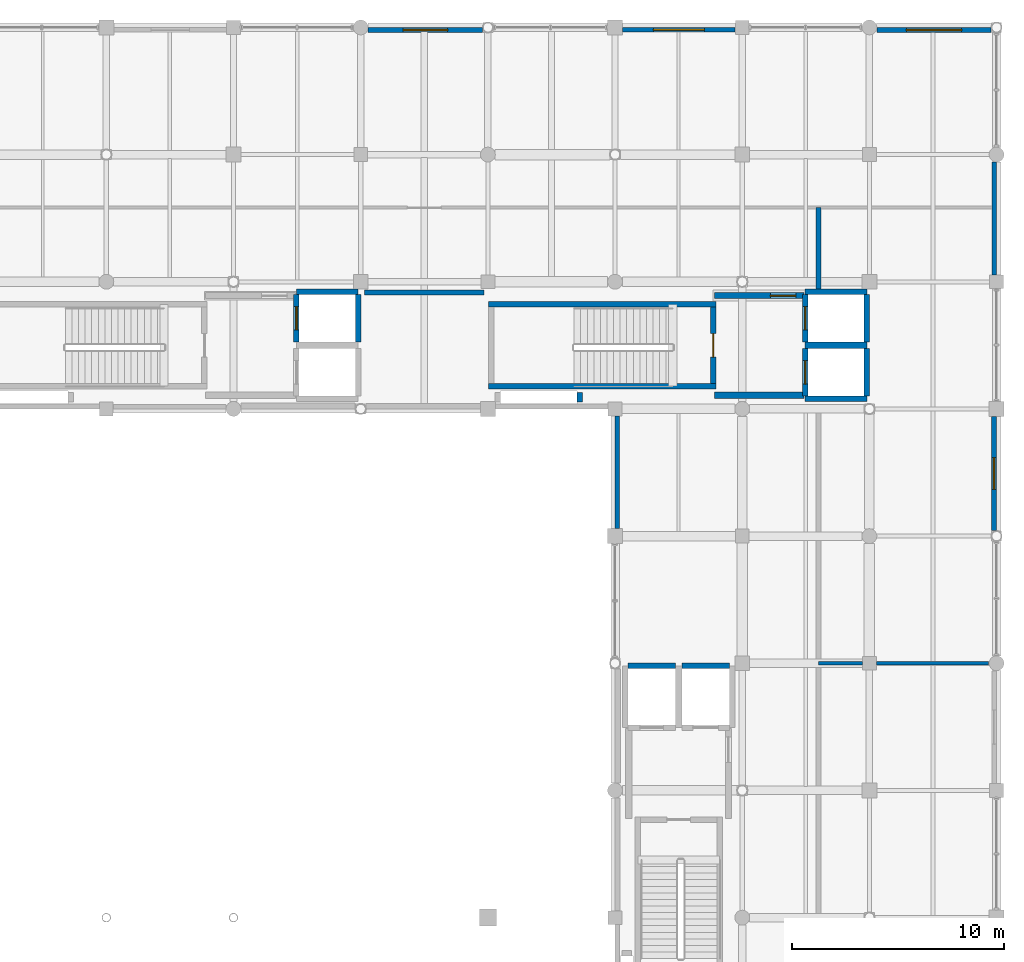
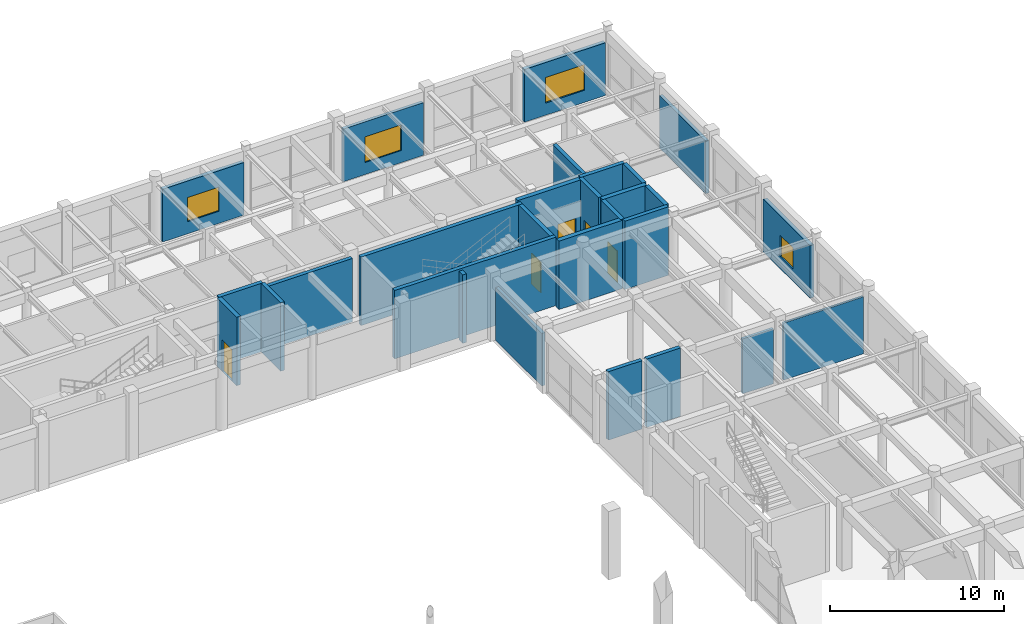
# One storey, part 105 of 123: 28 walls, 5 doors, 4 windows, 9 openings.
"""IFC4 building model written with IfcOpenShell, lengths in metres."""

from ifc_helpers import new_model, si_unit, direction, frame, frame_2d, origin, place, context, subcontext, project, spatial, rectangle, extrude, material, layer, layer_set, type_object, element, fill, save


model = new_model("IFC4")

# Units and contexts
model_context = context("Model", 3, precision=1e-05, world=origin(), true_north=direction((0.0, 1.0)))
body_context = subcontext(model_context, "Body", "Model", "MODEL_VIEW")
ifc_project = project(units=[si_unit("LENGTHUNIT", "METRE"), si_unit("AREAUNIT", "SQUARE_METRE"), si_unit("VOLUMEUNIT", "CUBIC_METRE"), si_unit("PLANEANGLEUNIT", "RADIAN"), si_unit("MASSUNIT", "GRAM", prefix="KILO"), si_unit("THERMODYNAMICTEMPERATUREUNIT", "KELVIN"), si_unit("POWERUNIT", "WATT")], contexts=[model_context])

# Site, building, storey
site_placement = place(None, origin())
site = spatial("IfcSite", under=ifc_project, at=site_placement, CompositionType="ELEMENT")
building_placement = place(site_placement, origin())
building = spatial("IfcBuilding", under=site, at=building_placement, Name="Phaisarnlok Congress Hotel", CompositionType="ELEMENT")
storey_placement = place(building_placement, frame((0.0, 0.0, 15.0)))
storey = spatial("IfcBuildingStorey", under=building, at=storey_placement, Name="L03", CompositionType="ELEMENT", Elevation=15.0)

# Walls
ifc_material_1 = material(Name="Concrete C40/50", Category="concrete")
ifc_layer_1 = layer(ifc_material_1, 0.2099609375, Name="Concrete C40/50")
ifc_layer_set_1 = layer_set([ifc_layer_1], Name="Concrete C40/50")
wall_type_1 = type_object("IfcWallType", Name="WL-EXT-210", PredefinedType="SOLIDWALL", material=ifc_layer_set_1)
for number, where, z_axis, x_axis, name in (
    (1, (162.10498046875, 107.669921875, 0.0), (0.0, 0.0, 1.0), (0.0, -1.0, 0.0), "Exterior wall EW-07 (L03)"),
    (2, (179.89501953125, 114.330078125, 0.0), (0.0, 0.0, 1.0), (0.0, 1.0, 0.0), "Exterior wall EW-07 (L03)"),
):
    element("IfcWall", number, at=place(storey_placement, frame(where, z_axis=z_axis, x_axis=x_axis)), inside=storey, type_object=wall_type_1, Name=name, PredefinedType="SOLIDWALL", context=body_context, shape_type="SweptSolid", body=[
        extrude(rectangle(XDim=5.31494140625, YDim=0.2099609375, at=frame_2d((2.657470703125, 0.0))), origin(), (0.0, 0.0, 1.0), 3.699951171875),
    ])

# Wall, opening, window
wall_1_placement = place(storey_placement, frame((167.669921875, 125.89501953125, 0.0), z_axis=(0.0, 0.0, 1.0), x_axis=(-1.0, 0.0, 0.0)))
wall_1 = element("IfcWall", 3, at=wall_1_placement, inside=storey, type_object=wall_type_1, Name="Exterior wall EW-07 (L03)", PredefinedType="SOLIDWALL", context=body_context, shape_type="SweptSolid", body=[
    extrude(rectangle(XDim=5.31494140625, YDim=0.2099609375, at=frame_2d((2.657470703125, 0.0))), origin(), (0.0, 0.0, 1.0), 3.699951171875),
])
opening_1_placement = place(wall_1_placement, frame((1.45703125, 0.0, 0.85009765625)))
opening_1 = element("IfcOpeningElement", 4, at=opening_1_placement, cuts=wall_1, Name="Opening W-08", PredefinedType="OPENING", context=body_context, shape_type="SweptSolid", body=[
    extrude(rectangle(XDim=2.39990234375, YDim=1.800048828125, at=frame_2d((1.199951171875, 0.89990234375))), frame((0.0, 0.114990234375, 0.0), z_axis=(0.0, -1.0, 0.0), x_axis=(1.0, 0.0, 0.0)), (0.0, 0.0, 1.0), 0.22998046875),
])
ifc_material_2 = material(Name="Thermally Broken Aluminium & Low-E Double Glazing", Category="aluminium")
window_type_1 = type_object("IfcWindowType", Name="WIN-POD-2400", PartitioningType="SINGLE_PANEL", PredefinedType="WINDOW", material=ifc_material_2)
window_1_placement = place(opening_1_placement, origin())
window_1 = element("IfcWindow", 5, at=window_1_placement, inside=storey, type_object=window_type_1, Name="Podium window W-08 (L03)", OverallHeight=1.800048828125, OverallWidth=2.39990234375, PartitioningType="SINGLE_PANEL", PredefinedType="WINDOW", context=body_context, shape_type="SweptSolid", body=[
    extrude(rectangle(XDim=2.39990234375, YDim=1.800048828125, at=frame_2d((1.199951171875, 0.89990234375))), frame((0.0, 0.030029296875, 0.0), z_axis=(0.0, -1.0, 0.0), x_axis=(1.0, 0.0, 0.0)), (0.0, 0.0, 1.0), 0.06005859375),
])
fill(opening_1, window_1)

ifc_layer_2 = layer(ifc_material_1, 0.25, Name="Concrete C40/50")
ifc_layer_set_2 = layer_set([ifc_layer_2], Name="Concrete C40/50")
wall_type_2 = type_object("IfcWallType", Name="WL-EXT-250", PredefinedType="SOLIDWALL", material=ifc_layer_set_2)
wall_2_placement = place(storey_placement, frame((179.875, 102.259033203125, 0.0), z_axis=(0.0, 0.0, 1.0), x_axis=(0.0, 1.0, 0.0)))
wall_2 = element("IfcWall", 6, at=wall_2_placement, inside=storey, type_object=wall_type_2, Name="Exterior wall EW-05 (L03)", PredefinedType="SOLIDWALL", context=body_context, shape_type="SweptSolid", body=[
    extrude(rectangle(XDim=5.385986328125, YDim=0.25, at=frame_2d((2.69287109375, 0.0))), origin(), (0.0, 0.0, 1.0), 3.699951171875),
])
opening_2_placement = place(wall_2_placement, frame((1.943115234375, 0.0, 0.85009765625)))
opening_2 = element("IfcOpeningElement", 7, at=opening_2_placement, cuts=wall_2, Name="Opening W-12", PredefinedType="OPENING", context=body_context, shape_type="SweptSolid", body=[
    extrude(rectangle(XDim=1.5, YDim=1.5, at=frame_2d((0.75, 0.75))), frame((0.0, 0.135009765625, 0.0), z_axis=(0.0, -1.0, 0.0), x_axis=(1.0, 0.0, 0.0)), (0.0, 0.0, 1.0), 0.27001953125),
])
window_type_2 = type_object("IfcWindowType", Name="WIN-POD-1500", PartitioningType="SINGLE_PANEL", PredefinedType="WINDOW", material=ifc_material_2)
window_2_placement = place(opening_2_placement, origin())
window_2 = element("IfcWindow", 8, at=window_2_placement, inside=storey, type_object=window_type_2, Name="Podium window W-12 (L03)", OverallHeight=1.5, OverallWidth=1.5, PartitioningType="SINGLE_PANEL", PredefinedType="WINDOW", context=body_context, shape_type="SweptSolid", body=[
    extrude(rectangle(XDim=1.5, YDim=1.5, at=frame_2d((0.75, 0.75))), frame((0.0, 0.030029296875, 0.0), z_axis=(0.0, -1.0, 0.0), x_axis=(1.0, 0.0, 0.0)), (0.0, 0.0, 1.0), 0.06005859375),
])
fill(opening_2, window_2)

wall_3_placement = place(storey_placement, frame((179.740966796875, 125.875, 0.0), z_axis=(0.0, 0.0, 1.0), x_axis=(-1.0, 0.0, 0.0)))
wall_3 = element("IfcWall", 9, at=wall_3_placement, inside=storey, type_object=wall_type_2, Name="Exterior wall EW-05 (L03)", PredefinedType="SOLIDWALL", context=body_context, shape_type="SweptSolid", body=[
    extrude(rectangle(XDim=5.385986328125, YDim=0.25, at=frame_2d((2.69287109375, 0.0))), origin(), (0.0, 0.0, 1.0), 3.699951171875),
])
opening_3_placement = place(wall_3_placement, frame((1.39306640625, 0.0, 0.85009765625)))
opening_3 = element("IfcOpeningElement", 10, at=opening_3_placement, cuts=wall_3, Name="Opening W-07", PredefinedType="OPENING", context=body_context, shape_type="SweptSolid", body=[
    extrude(rectangle(XDim=2.60009765625, YDim=1.800048828125, at=frame_2d((1.300048828125, 0.89990234375))), frame((0.0, 0.135009765625, 0.0), z_axis=(0.0, -1.0, 0.0), x_axis=(1.0, 0.0, 0.0)), (0.0, 0.0, 1.0), 0.27001953125),
])
window_type_3 = type_object("IfcWindowType", Name="WIN-POD-2600", PartitioningType="SINGLE_PANEL", PredefinedType="WINDOW", material=ifc_material_2)
window_3_placement = place(opening_3_placement, origin())
window_3 = element("IfcWindow", 11, at=window_3_placement, inside=storey, type_object=window_type_3, Name="Podium window W-07 (L03)", OverallHeight=1.800048828125, OverallWidth=2.60009765625, PartitioningType="SINGLE_PANEL", PredefinedType="WINDOW", context=body_context, shape_type="SweptSolid", body=[
    extrude(rectangle(XDim=2.60009765625, YDim=1.800048828125, at=frame_2d((1.300048828125, 0.89990234375))), frame((0.0, 0.030029296875, 0.0), z_axis=(0.0, -1.0, 0.0), x_axis=(1.0, 0.0, 0.0)), (0.0, 0.0, 1.0), 0.06005859375),
])
fill(opening_3, window_3)

wall_4_placement = place(storey_placement, frame((155.740966796875, 125.875, 0.0), z_axis=(0.0, 0.0, 1.0), x_axis=(-1.0, 0.0, 0.0)))
wall_4 = element("IfcWall", 12, at=wall_4_placement, inside=storey, type_object=wall_type_2, Name="Exterior wall EW-05 (L03)", PredefinedType="SOLIDWALL", context=body_context, shape_type="SweptSolid", body=[
    extrude(rectangle(XDim=5.385986328125, YDim=0.25, at=frame_2d((2.69287109375, 0.0))), origin(), (0.0, 0.0, 1.0), 3.699951171875),
])
opening_4_placement = place(wall_4_placement, frame((1.64306640625, 0.0, 0.85009765625)))
opening_4 = element("IfcOpeningElement", 13, at=opening_4_placement, cuts=wall_4, Name="Opening W-09", PredefinedType="OPENING", context=body_context, shape_type="SweptSolid", body=[
    extrude(rectangle(XDim=2.10009765625, YDim=1.699951171875, at=frame_2d((1.050048828125, 0.85009765625))), frame((0.0, 0.135009765625, 0.0), z_axis=(0.0, -1.0, 0.0), x_axis=(1.0, 0.0, 0.0)), (0.0, 0.0, 1.0), 0.27001953125),
])
window_type_4 = type_object("IfcWindowType", Name="WIN-POD-2100", PartitioningType="SINGLE_PANEL", PredefinedType="WINDOW", material=ifc_material_2)
window_4_placement = place(opening_4_placement, origin())
window_4 = element("IfcWindow", 14, at=window_4_placement, inside=storey, type_object=window_type_4, Name="Podium window W-09 (L03)", OverallHeight=1.699951171875, OverallWidth=2.10009765625, PartitioningType="SINGLE_PANEL", PredefinedType="WINDOW", context=body_context, shape_type="SweptSolid", body=[
    extrude(rectangle(XDim=2.10009765625, YDim=1.699951171875, at=frame_2d((1.050048828125, 0.85009765625))), frame((0.0, 0.030029296875, 0.0), z_axis=(0.0, -1.0, 0.0), x_axis=(1.0, 0.0, 0.0)), (0.0, 0.0, 1.0), 0.06005859375),
])
fill(opening_4, window_4)

# Walls
ifc_material_3 = material(Name="Double-Stud Acoustic Gypsum Partition", Category="gypsum")
ifc_layer_3 = layer(ifc_material_3, 0.159912109375, Name="Double-Stud Acoustic Gypsum Partition")
ifc_layer_set_3 = layer_set([ifc_layer_3], Name="Double-Stud Acoustic Gypsum Partition")
wall_type_3 = type_object("IfcWallType", Name="WL-INT-160", PredefinedType="PARTITIONING", material=ifc_layer_set_3)
wall_5_placement = place(storey_placement, frame((174.330078125, 96.0, 0.0), z_axis=(0.0, 0.0, 1.0), x_axis=(1.0, 0.0, 0.0)))
element("IfcWall", 15, at=wall_5_placement, inside=storey, type_object=wall_type_3, Name="Interior partition wall IW-04 (L03)", PredefinedType="PARTITIONING", context=body_context, shape_type="SweptSolid", body=[
    extrude(rectangle(XDim=5.2998046875, YDim=0.159912109375, at=frame_2d((2.64990234375, 0.0))), origin(), (0.0, 0.0, 1.0), 4.0),
])
ifc_material_4 = material(Name="Autoclaved Aerated Concrete Block", Category="concrete")
ifc_layer_4 = layer(ifc_material_4, 0.179931640625, Name="Autoclaved Aerated Concrete Block")
ifc_layer_set_4 = layer_set([ifc_layer_4], Name="Autoclaved Aerated Concrete Block")
wall_type_4 = type_object("IfcWallType", Name="WL-INT-180", PredefinedType="PARTITIONING", material=ifc_layer_set_4)
wall_6_placement = place(storey_placement, frame((171.60009765625, 96.0, 0.0), z_axis=(0.0, 0.0, 1.0), x_axis=(1.0, 0.0, 0.0)))
element("IfcWall", 16, at=wall_6_placement, inside=storey, type_object=wall_type_4, Name="Interior partition wall IW-03 (L03)", PredefinedType="PARTITIONING", context=body_context, shape_type="SweptSolid", body=[
    extrude(rectangle(XDim=2.06982421875, YDim=0.179931640625, at=frame_2d((1.034912109375, 0.0))), origin(), (0.0, 0.0, 1.0), 3.85009765625),
])
ifc_layer_5 = layer(ifc_material_1, 0.239990234375, Name="Concrete C40/50")
ifc_layer_set_5 = layer_set([ifc_layer_5], Name="Concrete C40/50")
wall_type_5 = type_object("IfcWallType", Name="WL-INT-240", PredefinedType="PARTITIONING", material=ifc_layer_set_5)
wall_7_placement = place(storey_placement, frame((171.60009765625, 113.56005859375, 0.0), z_axis=(0.0, 0.0, 1.0), x_axis=(0.0, 1.0, 0.0)))
element("IfcWall", 17, at=wall_7_placement, inside=storey, type_object=wall_type_5, Name="Interior partition wall IW-01 (L03)", PredefinedType="PARTITIONING", context=body_context, shape_type="SweptSolid", body=[
    extrude(rectangle(XDim=3.93994140625, YDim=0.239990234375, at=frame_2d((1.969970703125, 0.0))), origin(), (0.0, 0.0, 1.0), 4.449951171875),
])
wall_8_placement = place(storey_placement, frame((150.179931640625, 113.5, 0.0), z_axis=(0.0, 0.0, 1.0), x_axis=(1.0, 0.0, 0.0)))
element("IfcWall", 18, at=wall_8_placement, inside=storey, type_object=wall_type_5, Name="Interior partition wall IW-01 (L03)", PredefinedType="PARTITIONING", context=body_context, shape_type="SweptSolid", body=[
    extrude(rectangle(XDim=5.64013671875, YDim=0.239990234375, at=frame_2d((2.820068359375, 0.0))), origin(), (0.0, 0.0, 1.0), 4.449951171875),
])
ifc_material_5 = material(Name="Concrete C50/60", Category="concrete")
ifc_layer_6 = layer(ifc_material_5, 0.260009765625, Name="Concrete C50/60")
ifc_layer_set_6 = layer_set([ifc_layer_6], Name="Concrete C50/60")
wall_type_6 = type_object("IfcWallType", Name="WL-SHR-260", PredefinedType="SHEAR", material=ifc_layer_set_6)
for number, where, z_axis, x_axis, name in (
    (19, (156.0400390625, 109.070068359375, 0.0), (0.0, 0.0, 1.0), (1.0, 0.0, 0.0), "Stair shaft shear wall SW-04 (CORE-1 L03)"),
    (20, (156.0400390625, 112.929931640625, 0.0), (0.0, 0.0, 1.0), (1.0, 0.0, 0.0), "Stair shaft shear wall SW-04 (CORE-1 L03)"),
):
    element("IfcWall", number, at=place(storey_placement, frame(where, z_axis=z_axis, x_axis=x_axis)), inside=storey, type_object=wall_type_6, Name=name, PredefinedType="SHEAR", context=body_context, shape_type="SweptSolid", body=[
        extrude(rectangle(XDim=10.719970703125, YDim=0.260009765625, at=frame_2d((5.35986328125, 0.0))), origin(), (0.0, 0.0, 1.0), 4.800048828125),
    ])

# Wall, opening, door
wall_9_placement = place(storey_placement, frame((166.6298828125, 109.199951171875, 0.0), z_axis=(0.0, 0.0, 1.0), x_axis=(0.0, 1.0, 0.0)))
wall_9 = element("IfcWall", 21, at=wall_9_placement, inside=storey, type_object=wall_type_6, Name="Stair shaft shear wall SW-04 (CORE-1 L03)", PredefinedType="SHEAR", context=body_context, shape_type="SweptSolid", body=[
    extrude(rectangle(XDim=3.60009765625, YDim=0.260009765625, at=frame_2d((1.800048828125, 0.0))), origin(), (0.0, 0.0, 1.0), 4.800048828125),
])
opening_5_placement = place(wall_9_placement, frame((1.25, 0.0, 0.0)))
opening_5 = element("IfcOpeningElement", 22, at=opening_5_placement, cuts=wall_9, Name="Opening FD-005", PredefinedType="OPENING", context=body_context, shape_type="SweptSolid", body=[
    extrude(rectangle(XDim=1.10009765625, YDim=2.14990234375, at=frame_2d((0.550048828125, 1.074951171875))), frame((0.0, 0.14013671875, 0.0), z_axis=(0.0, -1.0, 0.0), x_axis=(1.0, 0.0, 0.0)), (0.0, 0.0, 1.0), 0.280029296875),
])
ifc_material_6 = material(Name="Fire-Rated Steel Frame & Timber Leaf", Category="steel")
door_type_1 = type_object("IfcDoorType", Name="DR-FD60-1100", OperationType="NOTDEFINED", PredefinedType="DOOR", material=ifc_material_6)
door_1_placement = place(opening_5_placement, origin())
door_1 = element("IfcDoor", 23, at=door_1_placement, inside=storey, type_object=door_type_1, Name="Stair enclosure fire door FD-005 (L03)", OperationType="SINGLE_SWING_RIGHT", OverallHeight=2.14990234375, OverallWidth=1.10009765625, PredefinedType="DOOR", context=body_context, shape_type="SweptSolid", body=[
    extrude(rectangle(XDim=1.10009765625, YDim=2.14990234375, at=frame_2d((0.550048828125, 1.074951171875))), frame((0.0, 0.02490234375, 0.0), z_axis=(0.0, -1.0, 0.0), x_axis=(1.0, 0.0, 0.0)), (0.0, 0.0, 1.0), 0.050048828125),
])
fill(opening_5, door_1)

# Walls
wall_10_placement = place(storey_placement, frame((170.969970703125, 108.469970703125, 0.0), z_axis=(0.0, 0.0, 1.0), x_axis=(1.0, 0.0, 0.0)))
element("IfcWall", 24, at=wall_10_placement, inside=storey, type_object=wall_type_6, Name="Lift shaft shear wall SW-04 (LF-FF1 L03)", PredefinedType="SHEAR", context=body_context, shape_type="SweptSolid", body=[
    extrude(rectangle(XDim=2.909912109375, YDim=0.260009765625, at=frame_2d((1.455078125, 0.0))), origin(), (0.0, 0.0, 1.0), 4.800048828125),
])
wall_11_placement = place(storey_placement, frame((173.8798828125, 108.60009765625, 0.0), z_axis=(0.0, 0.0, 1.0), x_axis=(0.0, 1.0, 0.0)))
element("IfcWall", 25, at=wall_11_placement, inside=storey, type_object=wall_type_6, Name="Lift shaft shear wall SW-04 (LF-FF1 L03)", PredefinedType="SHEAR", context=body_context, shape_type="SweptSolid", body=[
    extrude(rectangle(XDim=2.25, YDim=0.260009765625, at=frame_2d((1.125, 0.0))), origin(), (0.0, 0.0, 1.0), 4.800048828125),
])

# Wall, opening, door
wall_12_placement = place(storey_placement, frame((170.969970703125, 108.60009765625, 0.0), z_axis=(0.0, 0.0, 1.0), x_axis=(0.0, 1.0, 0.0)))
wall_12 = element("IfcWall", 26, at=wall_12_placement, inside=storey, type_object=wall_type_6, Name="Lift shaft front wall SW-04 (LF-FF1 L03)", PredefinedType="SHEAR", context=body_context, shape_type="SweptSolid", body=[
    extrude(rectangle(XDim=2.25, YDim=0.260009765625, at=frame_2d((1.125, 0.0))), origin(), (0.0, 0.0, 1.0), 4.800048828125),
])
opening_6_placement = place(wall_12_placement, frame((0.574951171875, 0.0, 0.0)))
opening_6 = element("IfcOpeningElement", 27, at=opening_6_placement, cuts=wall_12, Name="Opening LD-005", PredefinedType="OPENING", context=body_context, shape_type="SweptSolid", body=[
    extrude(rectangle(XDim=1.10009765625, YDim=2.199951171875, at=frame_2d((0.550048828125, 1.10009765625))), frame((0.0, 0.14013671875, 0.0), z_axis=(0.0, -1.0, 0.0), x_axis=(1.0, 0.0, 0.0)), (0.0, 0.0, 1.0), 0.280029296875),
])
ifc_material_7 = material(Name="Brushed Stainless Steel Grade 304", Category="steel")
door_type_2 = type_object("IfcDoorType", Name="DR-LD-1100", OperationType="DOUBLE_DOOR_SLIDING", PredefinedType="DOOR", material=ifc_material_7)
door_2_placement = place(opening_6_placement, origin())
door_2 = element("IfcDoor", 28, at=door_2_placement, inside=storey, type_object=door_type_2, Name="Lift landing sliding door LD-005 (LF-FF1 L03)", OperationType="DOUBLE_DOOR_SLIDING", OverallHeight=2.199951171875, OverallWidth=1.10009765625, PredefinedType="DOOR", context=body_context, shape_type="SweptSolid", body=[
    extrude(rectangle(XDim=1.10009765625, YDim=2.199951171875, at=frame_2d((0.550048828125, 1.10009765625))), frame((0.0, 0.02490234375, 0.0), z_axis=(0.0, -1.0, 0.0), x_axis=(1.0, 0.0, 0.0)), (0.0, 0.0, 1.0), 0.050048828125),
])
fill(opening_6, door_2)

# Walls
wall_13_placement = place(storey_placement, frame((170.969970703125, 113.530029296875, 0.0), z_axis=(0.0, 0.0, 1.0), x_axis=(1.0, 0.0, 0.0)))
element("IfcWall", 29, at=wall_13_placement, inside=storey, type_object=wall_type_6, Name="Lift shaft shear wall SW-04 (LF-HP1 L03)", PredefinedType="SHEAR", context=body_context, shape_type="SweptSolid", body=[
    extrude(rectangle(XDim=2.909912109375, YDim=0.260009765625, at=frame_2d((1.455078125, 0.0))), origin(), (0.0, 0.0, 1.0), 4.800048828125),
])
wall_14_placement = place(storey_placement, frame((173.8798828125, 111.14990234375, 0.0), z_axis=(0.0, 0.0, 1.0), x_axis=(0.0, 1.0, 0.0)))
element("IfcWall", 30, at=wall_14_placement, inside=storey, type_object=wall_type_6, Name="Lift shaft shear wall SW-04 (LF-HP1 L03)", PredefinedType="SHEAR", context=body_context, shape_type="SweptSolid", body=[
    extrude(rectangle(XDim=2.25, YDim=0.260009765625, at=frame_2d((1.125, 0.0))), origin(), (0.0, 0.0, 1.0), 4.800048828125),
])

# Wall, opening, door
wall_15_placement = place(storey_placement, frame((170.969970703125, 111.14990234375, 0.0), z_axis=(0.0, 0.0, 1.0), x_axis=(0.0, 1.0, 0.0)))
wall_15 = element("IfcWall", 31, at=wall_15_placement, inside=storey, type_object=wall_type_6, Name="Lift shaft front wall SW-04 (LF-HP1 L03)", PredefinedType="SHEAR", context=body_context, shape_type="SweptSolid", body=[
    extrude(rectangle(XDim=2.25, YDim=0.260009765625, at=frame_2d((1.125, 0.0))), origin(), (0.0, 0.0, 1.0), 4.800048828125),
])
opening_7_placement = place(wall_15_placement, frame((0.574951171875, 0.0, 0.0)))
opening_7 = element("IfcOpeningElement", 32, at=opening_7_placement, cuts=wall_15, Name="Opening LD-020", PredefinedType="OPENING", context=body_context, shape_type="SweptSolid", body=[
    extrude(rectangle(XDim=1.10009765625, YDim=2.199951171875, at=frame_2d((0.550048828125, 1.10009765625))), frame((0.0, 0.14013671875, 0.0), z_axis=(0.0, -1.0, 0.0), x_axis=(1.0, 0.0, 0.0)), (0.0, 0.0, 1.0), 0.280029296875),
])
door_3_placement = place(opening_7_placement, origin())
door_3 = element("IfcDoor", 33, at=door_3_placement, inside=storey, type_object=door_type_2, Name="Lift landing sliding door LD-020 (LF-HP1 L03)", OperationType="DOUBLE_DOOR_SLIDING", OverallHeight=2.199951171875, OverallWidth=1.10009765625, PredefinedType="DOOR", context=body_context, shape_type="SweptSolid", body=[
    extrude(rectangle(XDim=1.10009765625, YDim=2.199951171875, at=frame_2d((0.550048828125, 1.10009765625))), frame((0.0, 0.02490234375, 0.0), z_axis=(0.0, -1.0, 0.0), x_axis=(1.0, 0.0, 0.0)), (0.0, 0.0, 1.0), 0.050048828125),
])
fill(opening_7, door_3)

# Walls
wall_16_placement = place(storey_placement, frame((160.330078125, 108.330078125, 0.0), z_axis=(0.0, 0.0, 1.0), x_axis=(0.0, 1.0, 0.0)))
element("IfcWall", 34, at=wall_16_placement, inside=storey, type_object=wall_type_6, Name="Service riser shaft wall SW-04 (CORE-1 L03)", PredefinedType="SHEAR", context=body_context, shape_type="SweptSolid", body=[
    extrude(rectangle(XDim=0.43994140625, YDim=0.260009765625, at=frame_2d((0.219970703125, 0.0))), origin(), (0.0, 0.0, 1.0), 4.800048828125),
])
wall_17_placement = place(storey_placement, frame((146.969970703125, 113.530029296875, 0.0), z_axis=(0.0, 0.0, 1.0), x_axis=(1.0, 0.0, 0.0)))
element("IfcWall", 35, at=wall_17_placement, inside=storey, type_object=wall_type_6, Name="Lift shaft shear wall SW-04 (LF-HP2 L03)", PredefinedType="SHEAR", context=body_context, shape_type="SweptSolid", body=[
    extrude(rectangle(XDim=2.909912109375, YDim=0.260009765625, at=frame_2d((1.455078125, 0.0))), origin(), (0.0, 0.0, 1.0), 4.800048828125),
])
wall_18_placement = place(storey_placement, frame((149.8798828125, 111.14990234375, 0.0), z_axis=(0.0, 0.0, 1.0), x_axis=(0.0, 1.0, 0.0)))
element("IfcWall", 36, at=wall_18_placement, inside=storey, type_object=wall_type_6, Name="Lift shaft shear wall SW-04 (LF-HP2 L03)", PredefinedType="SHEAR", context=body_context, shape_type="SweptSolid", body=[
    extrude(rectangle(XDim=2.25, YDim=0.260009765625, at=frame_2d((1.125, 0.0))), origin(), (0.0, 0.0, 1.0), 4.800048828125),
])

# Wall, opening, door
wall_19_placement = place(storey_placement, frame((146.969970703125, 111.14990234375, 0.0), z_axis=(0.0, 0.0, 1.0), x_axis=(0.0, 1.0, 0.0)))
wall_19 = element("IfcWall", 37, at=wall_19_placement, inside=storey, type_object=wall_type_6, Name="Lift shaft front wall SW-04 (LF-HP2 L03)", PredefinedType="SHEAR", context=body_context, shape_type="SweptSolid", body=[
    extrude(rectangle(XDim=2.25, YDim=0.260009765625, at=frame_2d((1.125, 0.0))), origin(), (0.0, 0.0, 1.0), 4.800048828125),
])
opening_8_placement = place(wall_19_placement, frame((0.574951171875, 0.0, 0.0)))
opening_8 = element("IfcOpeningElement", 38, at=opening_8_placement, cuts=wall_19, Name="Opening LD-050", PredefinedType="OPENING", context=body_context, shape_type="SweptSolid", body=[
    extrude(rectangle(XDim=1.10009765625, YDim=2.199951171875, at=frame_2d((0.550048828125, 1.10009765625))), frame((0.0, 0.14013671875, 0.0), z_axis=(0.0, -1.0, 0.0), x_axis=(1.0, 0.0, 0.0)), (0.0, 0.0, 1.0), 0.280029296875),
])
door_4_placement = place(opening_8_placement, origin())
door_4 = element("IfcDoor", 39, at=door_4_placement, inside=storey, type_object=door_type_2, Name="Lift landing sliding door LD-050 (LF-HP2 L03)", OperationType="DOUBLE_DOOR_SLIDING", OverallHeight=2.199951171875, OverallWidth=1.10009765625, PredefinedType="DOOR", context=body_context, shape_type="SweptSolid", body=[
    extrude(rectangle(XDim=1.10009765625, YDim=2.199951171875, at=frame_2d((0.550048828125, 1.10009765625))), frame((0.0, 0.02490234375, 0.0), z_axis=(0.0, -1.0, 0.0), x_axis=(1.0, 0.0, 0.0)), (0.0, 0.0, 1.0), 0.050048828125),
])
fill(opening_8, door_4)

# Walls
for number, where, z_axis, x_axis, name in (
    (40, (162.60009765625, 95.8798828125, 0.0), (0.0, 0.0, 1.0), (1.0, 0.0, 0.0), "Lift shaft shear wall SW-04 (LF-HP3 L03)"),
    (41, (165.14990234375, 95.8798828125, 0.0), (0.0, 0.0, 1.0), (1.0, 0.0, 0.0), "Lift shaft shear wall SW-04 (LF-SV1 L03)"),
):
    element("IfcWall", number, at=place(storey_placement, frame(where, z_axis=z_axis, x_axis=x_axis)), inside=storey, type_object=wall_type_6, Name=name, PredefinedType="SHEAR", context=body_context, shape_type="SweptSolid", body=[
        extrude(rectangle(XDim=2.25, YDim=0.260009765625, at=frame_2d((1.125, 0.0))), origin(), (0.0, 0.0, 1.0), 4.800048828125),
    ])
ifc_layer_7 = layer(ifc_material_5, 0.300048828125, Name="Concrete C50/60")
ifc_layer_set_7 = layer_set([ifc_layer_7], Name="Concrete C50/60")
wall_type_7 = type_object("IfcWallType", Name="WL-SHR-300", PredefinedType="SHEAR", material=ifc_layer_set_7)
wall_20_placement = place(storey_placement, frame((170.969970703125, 111.0, 0.0), z_axis=(0.0, 0.0, 1.0), x_axis=(1.0, 0.0, 0.0)))
element("IfcWall", 42, at=wall_20_placement, inside=storey, type_object=wall_type_7, Name="Lift shaft divider shear wall SW-03 (LF-FF1 L03)", PredefinedType="SHEAR", context=body_context, shape_type="SweptSolid", body=[
    extrude(rectangle(XDim=2.909912109375, YDim=0.300048828125, at=frame_2d((1.455078125, 0.0))), origin(), (0.0, 0.0, 1.0), 4.800048828125),
])

# Wall, opening, door
wall_21_placement = place(storey_placement, frame((166.679931640625, 113.35009765625, 0.0), z_axis=(0.0, 0.0, 1.0), x_axis=(1.0, 0.0, 0.0)))
wall_21 = element("IfcWall", 43, at=wall_21_placement, inside=storey, type_object=wall_type_7, Name="Core lobby EI-120 wall SW-03 (CORE-1 L03)", PredefinedType="SHEAR", context=body_context, shape_type="SweptSolid", body=[
    extrude(rectangle(XDim=4.239990234375, YDim=0.300048828125, at=frame_2d((2.1201171875, 0.0))), origin(), (0.0, 0.0, 1.0), 4.800048828125),
])
opening_9_placement = place(wall_21_placement, frame((2.64990234375, 0.0, 0.0)))
opening_9 = element("IfcOpeningElement", 44, at=opening_9_placement, cuts=wall_21, Name="Opening FD-020", PredefinedType="OPENING", context=body_context, shape_type="SweptSolid", body=[
    extrude(rectangle(XDim=1.199951171875, YDim=2.199951171875, at=frame_2d((0.60009765625, 1.10009765625))), frame((0.0, 0.16015625, 0.0), z_axis=(0.0, -1.0, 0.0), x_axis=(1.0, 0.0, 0.0)), (0.0, 0.0, 1.0), 0.320068359375),
])
door_type_3 = type_object("IfcDoorType", Name="DR-FD60-1200", OperationType="NOTDEFINED", PredefinedType="DOOR", material=ifc_material_6)
door_5_placement = place(opening_9_placement, origin())
door_5 = element("IfcDoor", 45, at=door_5_placement, inside=storey, type_object=door_type_3, Name="Firefighting lobby entrance door FD-020 (CORE-1 L03)", OperationType="SINGLE_SWING_LEFT", OverallHeight=2.199951171875, OverallWidth=1.199951171875, PredefinedType="DOOR", context=body_context, shape_type="SweptSolid", body=[
    extrude(rectangle(XDim=1.199951171875, YDim=2.199951171875, at=frame_2d((0.60009765625, 1.10009765625))), frame((0.0, 0.02490234375, 0.0), z_axis=(0.0, -1.0, 0.0), x_axis=(1.0, 0.0, 0.0)), (0.0, 0.0, 1.0), 0.050048828125),
])
fill(opening_9, door_5)

# Wall
wall_22_placement = place(storey_placement, frame((166.679931640625, 108.64990234375, 0.0), z_axis=(0.0, 0.0, 1.0), x_axis=(1.0, 0.0, 0.0)))
element("IfcWall", 46, at=wall_22_placement, inside=storey, type_object=wall_type_7, Name="Core lobby EI-120 wall SW-03 (CORE-1 L03)", PredefinedType="SHEAR", context=body_context, shape_type="SweptSolid", body=[
    extrude(rectangle(XDim=4.239990234375, YDim=0.300048828125, at=frame_2d((2.1201171875, 0.0))), origin(), (0.0, 0.0, 1.0), 4.800048828125),
])

save(model, "model.ifc")
